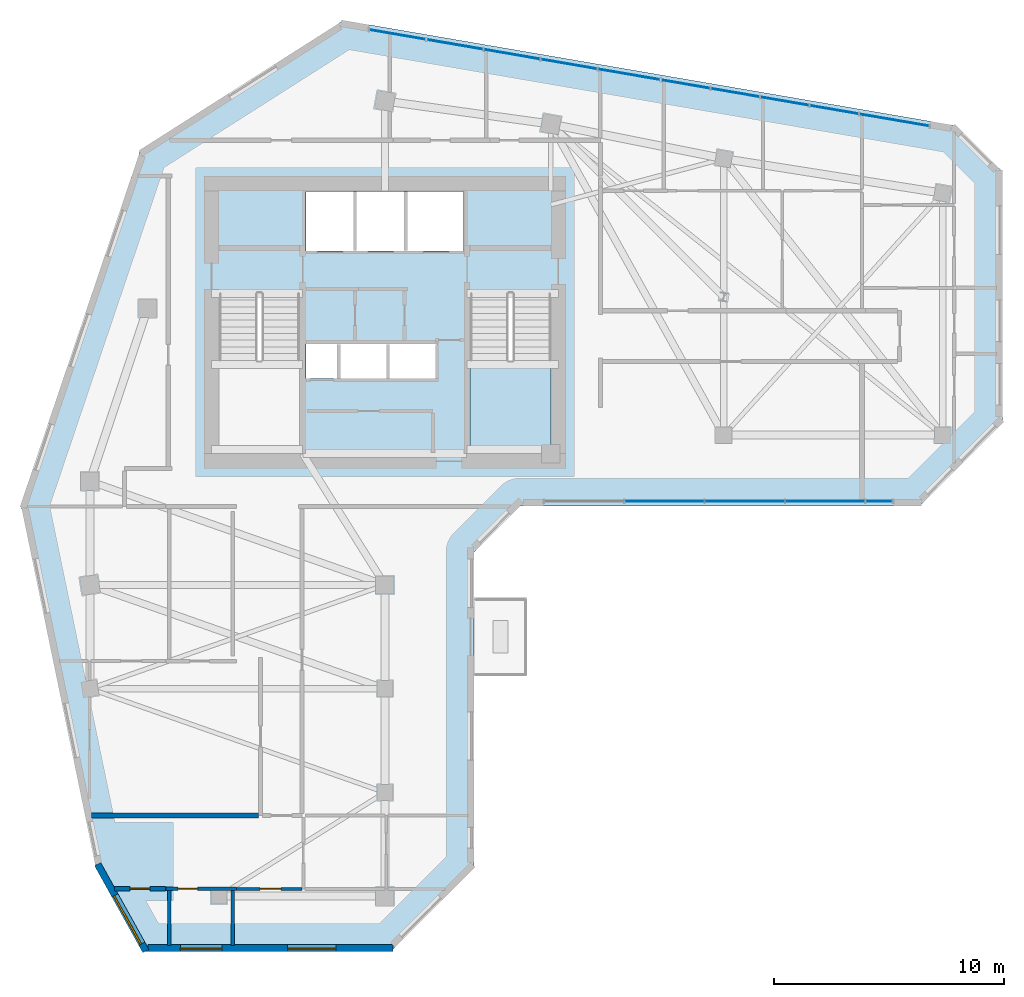
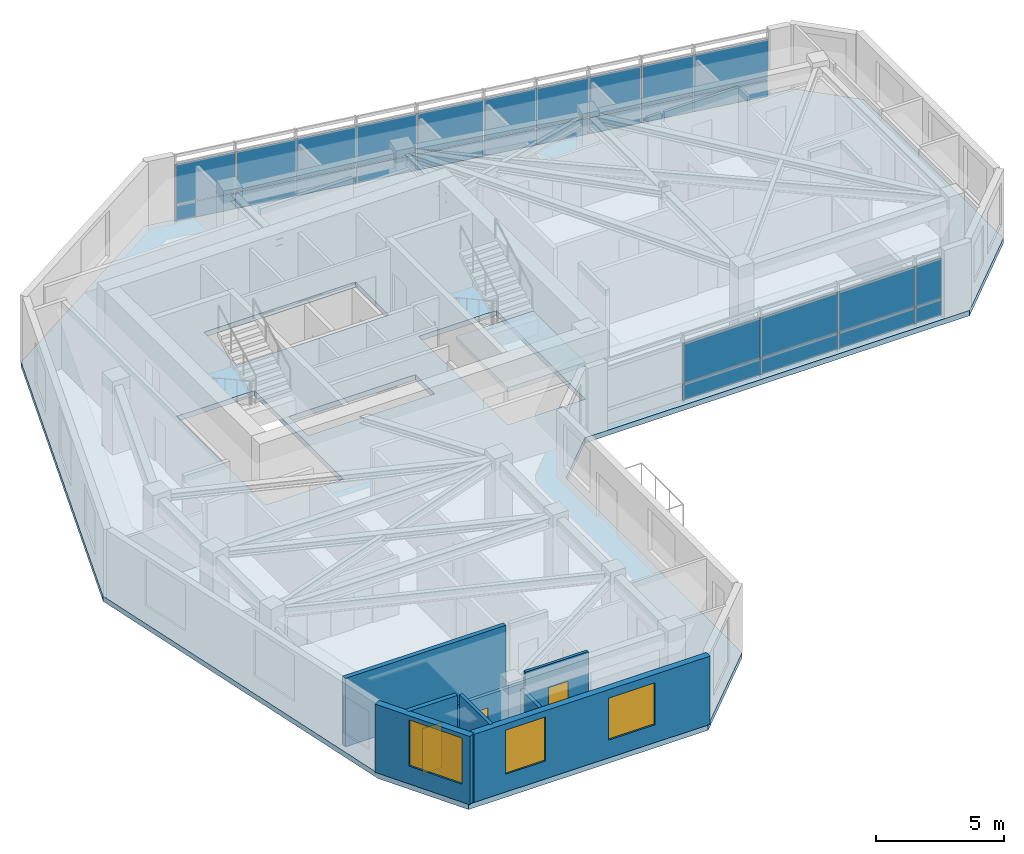
# One storey, part 3 of 10: 28 plates, 8 walls, 3 doors, 3 windows, 2 slabs, 6 openings, 3 elements without a shape of their own.
"""IFC4 building model written with IfcOpenShell, lengths in metres."""

from ifc_helpers import new_model, si_unit, direction, frame, frame_2d, origin, place, context, subcontext, project, spatial, polyline, rectangle, outline, extrude, source, transform, mapped, material, layer, layer_set, type_object, element, fill, aggregate, save


model = new_model("IFC4")

# Units and contexts
model_context = context("Model", 3, precision=1e-05, world=origin(), true_north=direction((0.0, 1.0)))
body_context = subcontext(model_context, "Body", "Model", "MODEL_VIEW")
ifc_project = project(units=[si_unit("LENGTHUNIT", "METRE"), si_unit("AREAUNIT", "SQUARE_METRE"), si_unit("VOLUMEUNIT", "CUBIC_METRE"), si_unit("PLANEANGLEUNIT", "RADIAN"), si_unit("MASSUNIT", "GRAM", prefix="KILO")], contexts=[model_context])

# Site, building, storey
site_placement = place(None, origin())
site = spatial("IfcSite", under=ifc_project, at=site_placement, CompositionType="ELEMENT")
building_placement = place(site_placement, origin())
building = spatial("IfcBuilding", under=site, at=building_placement, Name="Calvemar Wedge Station Tower", CompositionType="ELEMENT")
storey_placement = place(building_placement, frame((0.0, 0.0, 197.39990234375)))
storey = spatial("IfcBuildingStorey", under=building, at=storey_placement, Name="L49", CompositionType="ELEMENT", Elevation=197.39990234375)

# Curtain wall, plates
ifc_material_1 = material(Name="Anodised aluminium 6063-T6", Category="aluminium")
curtain_wall_type = type_object("IfcCurtainWallType", Name="CW3", PredefinedType="NOTDEFINED", material=ifc_material_1)
curtain_wall_1_placement = place(storey_placement, origin())
curtain_wall_1 = element("IfcCurtainWall", 1, at=curtain_wall_1_placement, inside=storey, type_object=curtain_wall_type, Name="Storey L49 CW3 Recessed Unitised Curtain Wall 6", PredefinedType="NOTDEFINED")
ifc_material_2 = material(Name="Low-E laminated insulated glass", Category="glass")
ifc_layer_1 = layer(ifc_material_2, 0.028076171875)
ifc_layer_set_1 = layer_set([ifc_layer_1], Name="Low-E laminated insulated glass")
plate_type_1 = type_object("IfcPlateType", Name="CW3-GLZ", PredefinedType="CURTAIN_PANEL", material=ifc_layer_set_1)
plate_1_placement = place(storey_placement, frame((34.204345703125, 32.134033203125, 0.8701171875), z_axis=(0.0, 0.0, 1.0), x_axis=(1.0, 0.0, 0.0)))
plate_1 = element("IfcPlate", 2, at=plate_1_placement, type_object=plate_type_1, Name="CW3 vision glass panel 2", PredefinedType="CURTAIN_PANEL", context=body_context, shape_type="SweptSolid", body=[
    extrude(rectangle(XDim=3.44873046875, YDim=0.028076171875, at=frame_2d((1.724365234375, 0.0))), origin(), (0.0, 0.0, 1.0), 1.909912109375),
])
plate_2_placement = place(storey_placement, frame((37.68896484375, 32.134033203125, 0.8701171875), z_axis=(0.0, 0.0, 1.0), x_axis=(1.0, 0.0, 0.0)))
plate_2 = element("IfcPlate", 3, at=plate_2_placement, type_object=plate_type_1, Name="CW3 vision glass panel 3", PredefinedType="CURTAIN_PANEL", context=body_context, shape_type="SweptSolid", body=[
    extrude(rectangle(XDim=3.448486328125, YDim=0.028076171875, at=frame_2d((1.72412109375, 0.0))), origin(), (0.0, 0.0, 1.0), 1.909912109375),
])
plate_3_placement = place(storey_placement, frame((41.173583984375, 32.134033203125, 0.8701171875), z_axis=(0.0, 0.0, 1.0), x_axis=(1.0, 0.0, 0.0)))
plate_3 = element("IfcPlate", 4, at=plate_3_placement, type_object=plate_type_1, Name="CW3 vision glass panel 4", PredefinedType="CURTAIN_PANEL", context=body_context, shape_type="SweptSolid", body=[
    extrude(rectangle(XDim=3.448486328125, YDim=0.028076171875, at=frame_2d((1.72412109375, 0.0))), origin(), (0.0, 0.0, 1.0), 1.909912109375),
])
plate_4_placement = place(storey_placement, frame((44.657958984375, 32.134033203125, 0.8701171875), z_axis=(0.0, 0.0, 1.0), x_axis=(1.0, 0.0, 0.0)))
plate_4 = element("IfcPlate", 5, at=plate_4_placement, type_object=plate_type_1, Name="CW3 vision glass panel 5", PredefinedType="CURTAIN_PANEL", context=body_context, shape_type="SweptSolid", body=[
    extrude(rectangle(XDim=1.161865234375, YDim=0.028076171875, at=frame_2d((0.5810546875, 0.0))), origin(), (0.0, 0.0, 1.0), 1.909912109375),
])

curtain_wall_2_placement = place(storey_placement, origin())
curtain_wall_2 = element("IfcCurtainWall", 6, at=curtain_wall_2_placement, inside=storey, type_object=curtain_wall_type, Name="Storey L49 CW3 Recessed Unitised Curtain Wall 10", PredefinedType="NOTDEFINED")
plate_5_placement = place(storey_placement, frame((47.415771484375, 48.414794921875, 0.8701171875), z_axis=(0.0, 0.0, 1.0), x_axis=(-0.985532089048, 0.16948894199, 0.0)))
plate_5 = element("IfcPlate", 7, at=plate_5_placement, type_object=plate_type_1, Name="CW3 vision glass panel 1", PredefinedType="CURTAIN_PANEL", context=body_context, shape_type="SweptSolid", body=[
    extrude(rectangle(XDim=3.071044921875, YDim=0.028076171875, at=frame_2d((1.53564453125, 0.0))), origin(), (0.0, 0.0, 1.0), 1.909912109375),
])
plate_6_placement = place(storey_placement, frame((44.353515625, 48.94140625, 0.8701171875), z_axis=(0.0, 0.0, 1.0), x_axis=(-0.985522462135, 0.169544910355, 0.0)))
plate_6 = element("IfcPlate", 8, at=plate_6_placement, type_object=plate_type_1, Name="CW3 vision glass panel 2", PredefinedType="CURTAIN_PANEL", context=body_context, shape_type="SweptSolid", body=[
    extrude(rectangle(XDim=2.1455078125, YDim=0.028076171875, at=frame_2d((1.07275390625, 0.0))), origin(), (0.0, 0.0, 1.0), 1.909912109375),
])
plate_7_placement = place(storey_placement, frame((42.20361328125, 49.311279296875, 0.8701171875), z_axis=(0.0, 0.0, 1.0), x_axis=(-0.985522462135, 0.169544910355, 0.0)))
plate_7 = element("IfcPlate", 9, at=plate_7_placement, type_object=plate_type_1, Name="CW3 vision glass panel 3", PredefinedType="CURTAIN_PANEL", context=body_context, shape_type="SweptSolid", body=[
    extrude(rectangle(XDim=2.1455078125, YDim=0.028076171875, at=frame_2d((1.07275390625, 0.0))), origin(), (0.0, 0.0, 1.0), 1.909912109375),
])
plate_8_placement = place(storey_placement, frame((40.0537109375, 49.68115234375, 0.8701171875), z_axis=(0.0, 0.0, 1.0), x_axis=(-0.985522462135, 0.169544910355, 0.0)))
plate_8 = element("IfcPlate", 10, at=plate_8_placement, type_object=plate_type_1, Name="CW3 vision glass panel 4", PredefinedType="CURTAIN_PANEL", context=body_context, shape_type="SweptSolid", body=[
    extrude(rectangle(XDim=2.1455078125, YDim=0.028076171875, at=frame_2d((1.07275390625, 0.0))), origin(), (0.0, 0.0, 1.0), 1.909912109375),
])
plate_9_placement = place(storey_placement, frame((37.903564453125, 50.051025390625, 0.8701171875), z_axis=(0.0, 0.0, 1.0), x_axis=(-0.985522462135, 0.169544910355, 0.0)))
plate_9 = element("IfcPlate", 11, at=plate_9_placement, type_object=plate_type_1, Name="CW3 vision glass panel 5", PredefinedType="CURTAIN_PANEL", context=body_context, shape_type="SweptSolid", body=[
    extrude(rectangle(XDim=2.1455078125, YDim=0.028076171875, at=frame_2d((1.07275390625, 0.0))), origin(), (0.0, 0.0, 1.0), 1.909912109375),
])
plate_10_placement = place(storey_placement, frame((35.753662109375, 50.4208984375, 0.8701171875), z_axis=(0.0, 0.0, 1.0), x_axis=(-0.985520439195, 0.169556668781, 0.0)))
plate_10 = element("IfcPlate", 12, at=plate_10_placement, type_object=plate_type_1, Name="CW3 vision glass panel 6", PredefinedType="CURTAIN_PANEL", context=body_context, shape_type="SweptSolid", body=[
    extrude(rectangle(XDim=2.75439453125, YDim=0.028076171875, at=frame_2d((1.377197265625, 0.0))), origin(), (0.0, 0.0, 1.0), 1.909912109375),
])
plate_11_placement = place(storey_placement, frame((33.003662109375, 50.89404296875, 0.8701171875), z_axis=(0.0, 0.0, 1.0), x_axis=(-0.985522121529, 0.169546890203, 0.0)))
plate_11 = element("IfcPlate", 13, at=plate_11_placement, type_object=plate_type_1, Name="CW3 vision glass panel 7", PredefinedType="CURTAIN_PANEL", context=body_context, shape_type="SweptSolid", body=[
    extrude(rectangle(XDim=2.475341796875, YDim=0.028076171875, at=frame_2d((1.23779296875, 0.0))), origin(), (0.0, 0.0, 1.0), 1.909912109375),
])
plate_12_placement = place(storey_placement, frame((30.528564453125, 51.319580078125, 0.8701171875), z_axis=(0.0, 0.0, 1.0), x_axis=(-0.985505636657, 0.169642683652, 0.0)))
plate_12 = element("IfcPlate", 14, at=plate_12_placement, type_object=plate_type_1, Name="CW3 vision glass panel 8", PredefinedType="CURTAIN_PANEL", context=body_context, shape_type="SweptSolid", body=[
    extrude(rectangle(XDim=2.475341796875, YDim=0.028076171875, at=frame_2d((1.23779296875, 0.0))), origin(), (0.0, 0.0, 1.0), 1.909912109375),
])
plate_13_placement = place(storey_placement, frame((28.0537109375, 51.74560546875, 0.8701171875), z_axis=(0.0, 0.0, 1.0), x_axis=(-0.98553324407, 0.169482225713, 0.0)))
plate_13 = element("IfcPlate", 15, at=plate_13_placement, type_object=plate_type_1, Name="CW3 vision glass panel 9", PredefinedType="CURTAIN_PANEL", context=body_context, shape_type="SweptSolid", body=[
    extrude(rectangle(XDim=2.4833984375, YDim=0.028076171875, at=frame_2d((1.24169921875, 0.0))), origin(), (0.0, 0.0, 1.0), 1.909912109375),
])
plate_14_placement = place(storey_placement, frame((25.57080078125, 52.172607421875, 0.8701171875), z_axis=(0.0, 0.0, 1.0), x_axis=(-0.985516819371, 0.169577707074, 0.0)))
plate_14 = element("IfcPlate", 16, at=plate_14_placement, type_object=plate_type_1, Name="CW3 vision glass panel 10", PredefinedType="CURTAIN_PANEL", context=body_context, shape_type="SweptSolid", body=[
    extrude(rectangle(XDim=2.4833984375, YDim=0.028076171875, at=frame_2d((1.24169921875, 0.0))), origin(), (0.0, 0.0, 1.0), 1.909912109375),
])

# Plate
ifc_material_3 = material(Name="Oxidized bronze aluminium spandrel panel 5005-H24", Category="aluminium")
ifc_layer_2 = layer(ifc_material_3, 0.0400390625)
ifc_layer_set_2 = layer_set([ifc_layer_2], Name="Oxidized bronze aluminium spandrel panel 5005-H24")
plate_type_2 = type_object("IfcPlateType", Name="CW3-SPD", PredefinedType="SHEET", material=ifc_layer_set_2)
plate_15_placement = place(storey_placement, frame((34.204345703125, 32.134033203125, 0.080078125), z_axis=(0.0, 0.0, 1.0), x_axis=(1.0, 0.0, 0.0)))
plate_15 = element("IfcPlate", 17, at=plate_15_placement, type_object=plate_type_2, Name="CW3 bronze spandrel panel 2", PredefinedType="SHEET", context=body_context, shape_type="SweptSolid", body=[
    extrude(rectangle(XDim=3.44873046875, YDim=0.0400390625, at=frame_2d((1.724365234375, 0.0))), origin(), (0.0, 0.0, 1.0), 0.75),
])

plate_16_placement = place(storey_placement, frame((37.68896484375, 32.134033203125, 0.080078125), z_axis=(0.0, 0.0, 1.0), x_axis=(1.0, 0.0, 0.0)))
plate_16 = element("IfcPlate", 18, at=plate_16_placement, type_object=plate_type_2, Name="CW3 bronze spandrel panel 3", PredefinedType="SHEET", context=body_context, shape_type="SweptSolid", body=[
    extrude(rectangle(XDim=3.448486328125, YDim=0.0400390625, at=frame_2d((1.72412109375, 0.0))), origin(), (0.0, 0.0, 1.0), 0.75),
])

plate_17_placement = place(storey_placement, frame((41.173583984375, 32.134033203125, 0.080078125), z_axis=(0.0, 0.0, 1.0), x_axis=(1.0, 0.0, 0.0)))
plate_17 = element("IfcPlate", 19, at=plate_17_placement, type_object=plate_type_2, Name="CW3 bronze spandrel panel 4", PredefinedType="SHEET", context=body_context, shape_type="SweptSolid", body=[
    extrude(rectangle(XDim=3.448486328125, YDim=0.0400390625, at=frame_2d((1.72412109375, 0.0))), origin(), (0.0, 0.0, 1.0), 0.75),
])

plate_18_placement = place(storey_placement, frame((44.657958984375, 32.134033203125, 0.080078125), z_axis=(0.0, 0.0, 1.0), x_axis=(1.0, 0.0, 0.0)))
plate_18 = element("IfcPlate", 20, at=plate_18_placement, type_object=plate_type_2, Name="CW3 bronze spandrel panel 5", PredefinedType="SHEET", context=body_context, shape_type="SweptSolid", body=[
    extrude(rectangle(XDim=1.161865234375, YDim=0.0400390625, at=frame_2d((0.5810546875, 0.0))), origin(), (0.0, 0.0, 1.0), 0.75),
])

aggregate(curtain_wall_1, [plate_15, plate_1, plate_16, plate_2, plate_17, plate_3, plate_18, plate_4])

plate_19_placement = place(storey_placement, frame((47.415771484375, 48.414794921875, 0.080078125), z_axis=(0.0, 0.0, 1.0), x_axis=(-0.985532089048, 0.16948894199, 0.0)))
plate_19 = element("IfcPlate", 21, at=plate_19_placement, type_object=plate_type_2, Name="CW3 bronze spandrel panel 1", PredefinedType="SHEET", context=body_context, shape_type="SweptSolid", body=[
    extrude(rectangle(XDim=3.071044921875, YDim=0.0400390625, at=frame_2d((1.53564453125, 0.0))), origin(), (0.0, 0.0, 1.0), 0.75),
])

plate_20_placement = place(storey_placement, frame((44.353515625, 48.94140625, 0.080078125), z_axis=(0.0, 0.0, 1.0), x_axis=(-0.985522462135, 0.169544910355, 0.0)))
plate_20 = element("IfcPlate", 22, at=plate_20_placement, type_object=plate_type_2, Name="CW3 bronze spandrel panel 2", PredefinedType="SHEET", context=body_context, shape_type="SweptSolid", body=[
    extrude(rectangle(XDim=2.1455078125, YDim=0.0400390625, at=frame_2d((1.07275390625, 0.0))), origin(), (0.0, 0.0, 1.0), 0.75),
])

plate_21_placement = place(storey_placement, frame((42.20361328125, 49.311279296875, 0.080078125), z_axis=(0.0, 0.0, 1.0), x_axis=(-0.985522462135, 0.169544910355, 0.0)))
plate_21 = element("IfcPlate", 23, at=plate_21_placement, type_object=plate_type_2, Name="CW3 bronze spandrel panel 3", PredefinedType="SHEET", context=body_context, shape_type="SweptSolid", body=[
    extrude(rectangle(XDim=2.1455078125, YDim=0.0400390625, at=frame_2d((1.07275390625, 0.0))), origin(), (0.0, 0.0, 1.0), 0.75),
])

plate_22_placement = place(storey_placement, frame((40.0537109375, 49.68115234375, 0.080078125), z_axis=(0.0, 0.0, 1.0), x_axis=(-0.985522462135, 0.169544910355, 0.0)))
plate_22 = element("IfcPlate", 24, at=plate_22_placement, type_object=plate_type_2, Name="CW3 bronze spandrel panel 4", PredefinedType="SHEET", context=body_context, shape_type="SweptSolid", body=[
    extrude(rectangle(XDim=2.1455078125, YDim=0.0400390625, at=frame_2d((1.07275390625, 0.0))), origin(), (0.0, 0.0, 1.0), 0.75),
])

plate_23_placement = place(storey_placement, frame((37.903564453125, 50.051025390625, 0.080078125), z_axis=(0.0, 0.0, 1.0), x_axis=(-0.985522462135, 0.169544910355, 0.0)))
plate_23 = element("IfcPlate", 25, at=plate_23_placement, type_object=plate_type_2, Name="CW3 bronze spandrel panel 5", PredefinedType="SHEET", context=body_context, shape_type="SweptSolid", body=[
    extrude(rectangle(XDim=2.1455078125, YDim=0.0400390625, at=frame_2d((1.07275390625, 0.0))), origin(), (0.0, 0.0, 1.0), 0.75),
])

plate_24_placement = place(storey_placement, frame((35.753662109375, 50.4208984375, 0.080078125), z_axis=(0.0, 0.0, 1.0), x_axis=(-0.985520439195, 0.169556668781, 0.0)))
plate_24 = element("IfcPlate", 26, at=plate_24_placement, type_object=plate_type_2, Name="CW3 bronze spandrel panel 6", PredefinedType="SHEET", context=body_context, shape_type="SweptSolid", body=[
    extrude(rectangle(XDim=2.75439453125, YDim=0.0400390625, at=frame_2d((1.377197265625, 0.0))), origin(), (0.0, 0.0, 1.0), 0.75),
])

plate_25_placement = place(storey_placement, frame((33.003662109375, 50.89404296875, 0.080078125), z_axis=(0.0, 0.0, 1.0), x_axis=(-0.985522121529, 0.169546890203, 0.0)))
plate_25 = element("IfcPlate", 27, at=plate_25_placement, type_object=plate_type_2, Name="CW3 bronze spandrel panel 7", PredefinedType="SHEET", context=body_context, shape_type="SweptSolid", body=[
    extrude(rectangle(XDim=2.475341796875, YDim=0.0400390625, at=frame_2d((1.23779296875, 0.0))), origin(), (0.0, 0.0, 1.0), 0.75),
])

plate_26_placement = place(storey_placement, frame((30.528564453125, 51.319580078125, 0.080078125), z_axis=(0.0, 0.0, 1.0), x_axis=(-0.985505636657, 0.169642683652, 0.0)))
plate_26 = element("IfcPlate", 28, at=plate_26_placement, type_object=plate_type_2, Name="CW3 bronze spandrel panel 8", PredefinedType="SHEET", context=body_context, shape_type="SweptSolid", body=[
    extrude(rectangle(XDim=2.475341796875, YDim=0.0400390625, at=frame_2d((1.23779296875, 0.0))), origin(), (0.0, 0.0, 1.0), 0.75),
])

plate_27_placement = place(storey_placement, frame((28.0537109375, 51.74560546875, 0.080078125), z_axis=(0.0, 0.0, 1.0), x_axis=(-0.98553324407, 0.169482225713, 0.0)))
plate_27 = element("IfcPlate", 29, at=plate_27_placement, type_object=plate_type_2, Name="CW3 bronze spandrel panel 9", PredefinedType="SHEET", context=body_context, shape_type="SweptSolid", body=[
    extrude(rectangle(XDim=2.4833984375, YDim=0.0400390625, at=frame_2d((1.24169921875, 0.0))), origin(), (0.0, 0.0, 1.0), 0.75),
])

plate_28_placement = place(storey_placement, frame((25.57080078125, 52.172607421875, 0.080078125), z_axis=(0.0, 0.0, 1.0), x_axis=(-0.985516819371, 0.169577707074, 0.0)))
plate_28 = element("IfcPlate", 30, at=plate_28_placement, type_object=plate_type_2, Name="CW3 bronze spandrel panel 10", PredefinedType="SHEET", context=body_context, shape_type="SweptSolid", body=[
    extrude(rectangle(XDim=2.4833984375, YDim=0.0400390625, at=frame_2d((1.24169921875, 0.0))), origin(), (0.0, 0.0, 1.0), 0.75),
])

aggregate(curtain_wall_2, [plate_19, plate_5, plate_20, plate_6, plate_21, plate_7, plate_22, plate_8, plate_23, plate_9, plate_24, plate_10, plate_25, plate_11, plate_26, plate_12, plate_27, plate_13, plate_28, plate_14])

# Stair, slab
ifc_material_4 = material(Name="Concrete C45", Category="concrete")
stair_type = type_object("IfcStairType", Name="ST-TYPE-3500", PredefinedType="HALF_TURN_STAIR", material=ifc_material_4)
stair_placement = place(storey_placement, origin())
stair = element("IfcStair", 31, at=stair_placement, inside=storey, type_object=stair_type, Name="L49 Pressurized Core Exit Stair ST-C2", PredefinedType="HALF_TURN_STAIR")
ifc_layer_3 = layer(ifc_material_4, 0.199951171875)
ifc_layer_set_3 = layer_set([ifc_layer_3], Name="Concrete C45")
slab_type_1 = type_object("IfcSlabType", Name="SL-STAIR-LND-200", PredefinedType="LANDING", material=ifc_layer_set_3)
slab_1_placement = place(storey_placement, frame((0.0, 0.0, 1.550048828125)))
slab_1 = element("IfcSlab", 32, at=slab_1_placement, type_object=slab_type_1, Name="ST-C2 landing 1", PredefinedType="LANDING", context=body_context, shape_type="SweptSolid", body=[
    extrude(outline(polyline([(27.5, 38.25), (27.5, 34.199951171875), (31.0, 34.199951171875), (31.0, 38.25), (27.5, 38.25)])), origin(), (0.0, 0.0, 1.0), 0.199951171875),
])
aggregate(stair, [slab_1])

# Slab
ifc_material_5 = material(Name="Concrete C50", Category="concrete")
ifc_layer_4 = layer(ifc_material_5, 0.25)
ifc_layer_set_4 = layer_set([ifc_layer_4], Name="Concrete C50")
slab_type_2 = type_object("IfcSlabType", Name="SL-TYP-250", PredefinedType="FLOOR", material=ifc_layer_set_4)
slab_2_placement = place(storey_placement, frame((0.0, 0.0, -0.25)))
element("IfcSlab", 33, at=slab_2_placement, inside=storey, type_object=slab_type_2, Name="Storey L49 Structural Floor Slab", PredefinedType="FLOOR", context=body_context, shape_type="SweptSolid", body=[
    extrude(outline(polyline([(8.0, 32.0), (11.263916015625, 16.199951171875), (13.263916015625, 12.60009765625), (24.06396484375, 12.60009765625), (27.6640625, 16.199951171875), (27.6640625, 29.924072265625), (29.6640625, 31.924072265625), (47.0, 31.924072265625), (50.60009765625, 35.52392578125), (50.60009765625, 46.424072265625), (48.60009765625, 48.424072265625), (22.0, 53.0), (13.199951171875, 47.39990234375), (8.0, 32.0)]), holes=[polyline([(20.10009765625, 34.199951171875), (20.10009765625, 41.14990234375), (16.60009765625, 41.14990234375), (16.60009765625, 34.199951171875), (20.10009765625, 34.199951171875)]), polyline([(27.5, 34.199951171875), (31.0, 34.199951171875), (31.0, 41.14990234375), (27.5, 41.14990234375), (27.5, 34.199951171875)]), polyline([(21.800048828125, 37.449951171875), (23.929931640625, 37.449951171875), (23.93994140625, 37.449951171875), (26.080078125, 37.449951171875), (26.080078125, 38.949951171875), (23.93994140625, 38.949951171875), (23.929931640625, 38.949951171875), (21.800048828125, 38.949951171875), (21.7900390625, 38.949951171875), (20.3798828125, 38.949951171875), (20.3798828125, 37.449951171875), (21.7900390625, 37.449951171875), (21.800048828125, 37.449951171875)]), polyline([(27.219970703125, 43.0), (27.219970703125, 45.580078125), (20.3798828125, 45.580078125), (20.3798828125, 43.0), (27.219970703125, 43.0)])]), origin(), (0.0, 0.0, 1.0), 0.25),
])

# Wall
ifc_material_6 = material(Name="Twin-stud fire-rated inter-tenancy wall")
ifc_layer_5 = layer(ifc_material_6, 0.199951171875)
ifc_layer_set_5 = layer_set([ifc_layer_5], Name="Twin-stud fire-rated inter-tenancy wall")
wall_type_1 = type_object("IfcWallType", Name="W-DEMISE-200", PredefinedType="PARTITIONING", material=ifc_layer_set_5)
wall_1_placement = place(storey_placement, frame((18.305908203125, 18.5, 0.0), z_axis=(0.0, 0.0, 1.0), x_axis=(-1.0, 0.0, 0.0)))
element("IfcWall", 34, at=wall_1_placement, inside=storey, type_object=wall_type_1, Name="Storey L49 Interior Partition WL-L49-058", PredefinedType="PARTITIONING", context=body_context, shape_type="SweptSolid", body=[
    extrude(rectangle(XDim=7.246337890625, YDim=0.199951171875, at=frame_2d((3.623046875, 0.0))), origin(), (0.0, 0.0, 1.0), 3.25),
])

# Wall, opening, door
wall_2_placement = place(storey_placement, frame((14.2880859375, 15.31494140625, 0.0), z_axis=(0.0, 0.0, 1.0), x_axis=(-1.0, 0.0, 0.0)))
wall_2 = element("IfcWall", 35, at=wall_2_placement, inside=storey, type_object=wall_type_1, Name="Storey L49 Interior Partition WL-L49-066", PredefinedType="PARTITIONING", context=body_context, shape_type="SweptSolid", body=[
    extrude(rectangle(XDim=2.229248046875, YDim=0.199951171875, at=frame_2d((1.11474609375, 0.0))), origin(), (0.0, 0.0, 1.0), 3.25),
])
shared_shape_1 = source(origin(), body_context, "Body", "SweptSolid", [
    extrude(rectangle(XDim=0.85009765625, YDim=2.14990234375, at=frame_2d((0.425048828125, 1.074951171875))), frame((0.0, 0.10986328125, 0.0), z_axis=(0.0, -1.0, 0.0), x_axis=(1.0, 0.0, 0.0)), (0.0, 0.0, 1.0), 0.219970703125),
])
opening_1_placement = place(wall_2_placement, frame((0.689697265625, 0.0, 0.0)))
opening_1 = element("IfcOpeningElement", 36, at=opening_1_placement, cuts=wall_2, Name="Opening D-02", PredefinedType="OPENING", context=body_context, shape_type="MappedRepresentation", body=[
    mapped(shared_shape_1, transform((0.0, 0.0, 0.0), scale=1.0)),
])
ifc_material_7 = material(Name="Moisture-sealed bathroom hardwood swing door", Category="wood")
door_type_1 = type_object("IfcDoorType", Name="DR-WET-850", OperationType="NOTDEFINED", PredefinedType="DOOR", material=ifc_material_7)
shared_shape_2 = source(origin(), body_context, "Body", "SweptSolid", [
    extrude(rectangle(XDim=0.85009765625, YDim=2.14990234375, at=frame_2d((0.425048828125, 1.074951171875))), frame((0.0, 0.02490234375, 0.0), z_axis=(0.0, -1.0, 0.0), x_axis=(1.0, 0.0, 0.0)), (0.0, 0.0, 1.0), 0.050048828125),
])
door_1_placement = place(opening_1_placement, origin())
door_1 = element("IfcDoor", 37, at=door_1_placement, inside=storey, type_object=door_type_1, Name="L49 Walk-In Wardrobe Door", OperationType="SINGLE_SWING_RIGHT", OverallHeight=2.14990234375, OverallWidth=0.85009765625, PredefinedType="DOOR", context=body_context, shape_type="MappedRepresentation", body=[
    mapped(shared_shape_2, transform((0.0, 0.0, 0.0), scale=1.0)),
])
fill(opening_1, door_1)

# Wall, opening, window
ifc_material_8 = material(Name="Precast concrete C45", Category="concrete")
ifc_layer_6 = layer(ifc_material_8, 0.300048828125)
ifc_layer_set_6 = layer_set([ifc_layer_6], Name="Precast concrete C45")
wall_type_2 = type_object("IfcWallType", Name="W-EXT-GFRC-300", PredefinedType="SOLIDWALL", material=ifc_layer_set_6)
wall_3_placement = place(storey_placement, frame((11.33349609375, 16.3837890625, 0.0), z_axis=(0.0, 0.0, 1.0), x_axis=(0.485633305139, -0.874162623852, 0.0)))
wall_3 = element("IfcWall", 38, at=wall_3_placement, inside=storey, type_object=wall_type_2, Name="Storey L49 Bronze GFRC Exterior Wall 1", PredefinedType="SOLIDWALL", context=body_context, shape_type="SweptSolid", body=[
    extrude(rectangle(XDim=4.306884765625, YDim=0.300048828125, at=frame_2d((2.1533203125, 0.0))), origin(), (0.0, 0.0, 1.0), 3.25),
])
shared_shape_3 = source(origin(), body_context, "Body", "SweptSolid", [
    extrude(rectangle(XDim=2.39990234375, YDim=2.199951171875, at=frame_2d((1.199951171875, 1.10009765625))), frame((0.0, 0.16015625, 0.0), z_axis=(0.0, -1.0, 0.0), x_axis=(1.0, 0.0, 0.0)), (0.0, 0.0, 1.0), 0.320068359375),
])
opening_2_placement = place(wall_3_placement, frame((1.547119140625, 0.0, 0.85009765625)))
opening_2 = element("IfcOpeningElement", 39, at=opening_2_placement, cuts=wall_3, Name="Opening W1", PredefinedType="OPENING", context=body_context, shape_type="MappedRepresentation", body=[
    mapped(shared_shape_3, transform((0.0, 0.0, 0.0), scale=1.0)),
])
window_type_1 = type_object("IfcWindowType", Name="WIN-EXT-1", PartitioningType="SINGLE_PANEL", PredefinedType="WINDOW", material=ifc_material_2)
shared_shape_4 = source(origin(), body_context, "Body", "SweptSolid", [
    extrude(rectangle(XDim=2.39990234375, YDim=2.199951171875, at=frame_2d((1.199951171875, 1.10009765625))), frame((0.0, -0.014892578125, 0.0), z_axis=(0.0, -1.0, 0.0), x_axis=(1.0, 0.0, 0.0)), (0.0, 0.0, 1.0), 0.06005859375),
])
window_1_placement = place(opening_2_placement, origin())
window_1 = element("IfcWindow", 40, at=window_1_placement, inside=storey, type_object=window_type_1, Name="Storey L49 Recessed Window 1.1", OverallHeight=2.199951171875, OverallWidth=2.39990234375, PartitioningType="SINGLE_PANEL", PredefinedType="WINDOW", context=body_context, shape_type="MappedRepresentation", body=[
    mapped(shared_shape_4, transform((0.0, 0.0, 0.0), scale=1.0)),
])
fill(opening_2, window_1)

# Wall, openings, windows
wall_4_placement = place(storey_placement, frame((13.510009765625, 12.75, 0.0), z_axis=(0.0, 0.0, 1.0), x_axis=(1.0, 0.0, 0.0)))
wall_4 = element("IfcWall", 41, at=wall_4_placement, inside=storey, type_object=wall_type_2, Name="Storey L49 Bronze GFRC Exterior Wall 2", PredefinedType="SOLIDWALL", context=body_context, shape_type="SweptSolid", body=[
    extrude(rectangle(XDim=10.641845703125, YDim=0.300048828125, at=frame_2d((5.32080078125, 0.0))), origin(), (0.0, 0.0, 1.0), 3.25),
])
shared_shape_5 = source(origin(), body_context, "Body", "SweptSolid", [
    extrude(rectangle(XDim=1.800048828125, YDim=2.10009765625, at=frame_2d((0.89990234375, 1.050048828125))), frame((0.0, 0.16015625, 0.0), z_axis=(0.0, -1.0, 0.0), x_axis=(1.0, 0.0, 0.0)), (0.0, 0.0, 1.0), 0.320068359375),
])
opening_3_placement = place(wall_4_placement, frame((1.4150390625, 0.0, 0.85009765625)))
opening_3 = element("IfcOpeningElement", 42, at=opening_3_placement, cuts=wall_4, Name="Opening W2", PredefinedType="OPENING", context=body_context, shape_type="MappedRepresentation", body=[
    mapped(shared_shape_5, transform((0.0, 0.0, 0.0), scale=1.0)),
])
shared_shape_6 = source(origin(), body_context, "Body", "SweptSolid", [
    extrude(rectangle(XDim=2.10009765625, YDim=2.0, at=frame_2d((1.050048828125, 1.0))), frame((0.0, 0.16015625, 0.0), z_axis=(0.0, -1.0, 0.0), x_axis=(1.0, 0.0, 0.0)), (0.0, 0.0, 1.0), 0.320068359375),
])
opening_4_placement = place(wall_4_placement, frame((6.06591796875, 0.0, 0.85009765625)))
opening_4 = element("IfcOpeningElement", 43, at=opening_4_placement, cuts=wall_4, Name="Opening W4", PredefinedType="OPENING", context=body_context, shape_type="MappedRepresentation", body=[
    mapped(shared_shape_6, transform((0.0, 0.0, 0.0), scale=1.0)),
])
window_type_2 = type_object("IfcWindowType", Name="WIN-EXT-4", PartitioningType="SINGLE_PANEL", PredefinedType="WINDOW", material=ifc_material_2)
shared_shape_7 = source(origin(), body_context, "Body", "SweptSolid", [
    extrude(rectangle(XDim=2.10009765625, YDim=2.0, at=frame_2d((1.050048828125, 1.0))), frame((0.0, -0.014892578125, 0.0), z_axis=(0.0, -1.0, 0.0), x_axis=(1.0, 0.0, 0.0)), (0.0, 0.0, 1.0), 0.06005859375),
])
window_2_placement = place(opening_4_placement, origin())
window_2 = element("IfcWindow", 44, at=window_2_placement, inside=storey, type_object=window_type_2, Name="Storey L49 Recessed Window 2.2", OverallHeight=2.0, OverallWidth=2.10009765625, PartitioningType="SINGLE_PANEL", PredefinedType="WINDOW", context=body_context, shape_type="MappedRepresentation", body=[
    mapped(shared_shape_7, transform((0.0, 0.0, 0.0), scale=1.0)),
])
fill(opening_4, window_2)
window_type_3 = type_object("IfcWindowType", Name="WIN-EXT-2", PartitioningType="SINGLE_PANEL", PredefinedType="WINDOW", material=ifc_material_2)
shared_shape_8 = source(origin(), body_context, "Body", "SweptSolid", [
    extrude(rectangle(XDim=1.800048828125, YDim=2.10009765625, at=frame_2d((0.89990234375, 1.050048828125))), frame((0.0, -0.014892578125, 0.0), z_axis=(0.0, -1.0, 0.0), x_axis=(1.0, 0.0, 0.0)), (0.0, 0.0, 1.0), 0.06005859375),
])
window_3_placement = place(opening_3_placement, origin())
window_3 = element("IfcWindow", 45, at=window_3_placement, inside=storey, type_object=window_type_3, Name="Storey L49 Recessed Window 2.1", OverallHeight=2.10009765625, OverallWidth=1.800048828125, PartitioningType="SINGLE_PANEL", PredefinedType="WINDOW", context=body_context, shape_type="MappedRepresentation", body=[
    mapped(shared_shape_8, transform((0.0, 0.0, 0.0), scale=1.0)),
])
fill(opening_3, window_3)

# Wall, opening, door
ifc_material_9 = material(Name="Insulated acoustic gypsum stud partition")
ifc_layer_7 = layer(ifc_material_9, 0.125)
ifc_layer_set_7 = layer_set([ifc_layer_7], Name="Insulated acoustic gypsum stud partition")
wall_type_3 = type_object("IfcWallType", Name="W-PART-125", PredefinedType="PARTITIONING", material=ifc_layer_set_7)
wall_5_placement = place(storey_placement, frame((20.1923828125, 15.31494140625, 0.0), z_axis=(0.0, 0.0, 1.0), x_axis=(-1.0, 0.0, 0.0)))
wall_5 = element("IfcWall", 46, at=wall_5_placement, inside=storey, type_object=wall_type_3, Name="Storey L49 Interior Partition WL-L49-067", PredefinedType="PARTITIONING", context=body_context, shape_type="SweptSolid", body=[
    extrude(rectangle(XDim=2.830322265625, YDim=0.125, at=frame_2d((1.4150390625, 0.0))), origin(), (0.0, 0.0, 1.0), 3.25),
])
shared_shape_9 = source(origin(), body_context, "Body", "SweptSolid", [
    extrude(rectangle(XDim=0.89990234375, YDim=2.14990234375, at=frame_2d((0.449951171875, 1.074951171875))), frame((0.0, 0.072509765625, 0.0), z_axis=(0.0, -1.0, 0.0), x_axis=(1.0, 0.0, 0.0)), (0.0, 0.0, 1.0), 0.14501953125),
])
opening_5_placement = place(wall_5_placement, frame((0.903076171875, 0.0, 0.0)))
opening_5 = element("IfcOpeningElement", 47, at=opening_5_placement, cuts=wall_5, Name="Opening D-01", PredefinedType="OPENING", context=body_context, shape_type="MappedRepresentation", body=[
    mapped(shared_shape_9, transform((0.0, 0.0, 0.0), scale=1.0)),
])
ifc_material_10 = material(Name="Architectural hardwood acoustic swing door", Category="wood")
door_type_2 = type_object("IfcDoorType", Name="DR-INT-900", OperationType="NOTDEFINED", PredefinedType="DOOR", material=ifc_material_10)
shared_shape_10 = source(origin(), body_context, "Body", "SweptSolid", [
    extrude(rectangle(XDim=0.89990234375, YDim=2.14990234375, at=frame_2d((0.449951171875, 1.074951171875))), frame((0.0, 0.02490234375, 0.0), z_axis=(0.0, -1.0, 0.0), x_axis=(1.0, 0.0, 0.0)), (0.0, 0.0, 1.0), 0.050048828125),
])
door_2_placement = place(opening_5_placement, origin())
door_2 = element("IfcDoor", 48, at=door_2_placement, inside=storey, type_object=door_type_2, Name="L49 Master Bedroom Door", OperationType="SINGLE_SWING_LEFT", OverallHeight=2.14990234375, OverallWidth=0.89990234375, PredefinedType="DOOR", context=body_context, shape_type="MappedRepresentation", body=[
    mapped(shared_shape_10, transform((0.0, 0.0, 0.0), scale=1.0)),
])
fill(opening_5, door_2)

ifc_material_11 = material(Name="Moisture-resistant acoustic bathroom partition")
ifc_layer_8 = layer(ifc_material_11, 0.14990234375)
ifc_layer_set_8 = layer_set([ifc_layer_8], Name="Moisture-resistant acoustic bathroom partition")
wall_type_4 = type_object("IfcWallType", Name="W-WET-150", PredefinedType="PARTITIONING", material=ifc_layer_set_8)
wall_6_placement = place(storey_placement, frame((17.360107421875, 15.31494140625, 0.0), z_axis=(0.0, 0.0, 1.0), x_axis=(-1.0, 0.0, 0.0)))
wall_6 = element("IfcWall", 49, at=wall_6_placement, inside=storey, type_object=wall_type_4, Name="Storey L49 Interior Partition WL-L49-065", PredefinedType="PARTITIONING", context=body_context, shape_type="SweptSolid", body=[
    extrude(rectangle(XDim=3.070068359375, YDim=0.14990234375, at=frame_2d((1.53515625, 0.0))), origin(), (0.0, 0.0, 1.0), 2.779052734375),
])
shared_shape_11 = source(origin(), body_context, "Body", "SweptSolid", [
    extrude(rectangle(XDim=0.85009765625, YDim=2.14990234375, at=frame_2d((0.425048828125, 1.074951171875))), frame((0.0, 0.0849609375, 0.0), z_axis=(0.0, -1.0, 0.0), x_axis=(1.0, 0.0, 0.0)), (0.0, 0.0, 1.0), 0.169921875),
])
opening_6_placement = place(wall_6_placement, frame((1.6845703125, 0.0, 0.0)))
opening_6 = element("IfcOpeningElement", 50, at=opening_6_placement, cuts=wall_6, Name="Opening D-02", PredefinedType="OPENING", context=body_context, shape_type="MappedRepresentation", body=[
    mapped(shared_shape_11, transform((0.0, 0.0, 0.0), scale=1.0)),
])
door_3_placement = place(opening_6_placement, origin())
door_3 = element("IfcDoor", 51, at=door_3_placement, inside=storey, type_object=door_type_1, Name="L49 Bathroom Door", OperationType="SINGLE_SWING_LEFT", OverallHeight=2.14990234375, OverallWidth=0.85009765625, PredefinedType="DOOR", context=body_context, shape_type="MappedRepresentation", body=[
    mapped(shared_shape_2, transform((0.0, 0.0, 0.0), scale=1.0)),
])
fill(opening_6, door_3)

# Walls
wall_7_placement = place(storey_placement, frame((14.449951171875, 12.864990234375, 0.0), z_axis=(0.0, 0.0, 1.0), x_axis=(0.0, 1.0, 0.0)))
element("IfcWall", 52, at=wall_7_placement, inside=storey, type_object=wall_type_4, Name="Storey L49 Interior Partition WL-L49-070", PredefinedType="PARTITIONING", context=body_context, shape_type="SweptSolid", body=[
    extrude(rectangle(XDim=2.37109375, YDim=0.14990234375, at=frame_2d((1.185546875, 0.0))), origin(), (0.0, 0.0, 1.0), 3.25),
])
wall_8_placement = place(storey_placement, frame((17.199951171875, 15.236083984375, 0.0), z_axis=(0.0, 0.0, 1.0), x_axis=(0.0, -1.0, 0.0)))
element("IfcWall", 53, at=wall_8_placement, inside=storey, type_object=wall_type_4, Name="Storey L49 Interior Partition WL-L49-071", PredefinedType="PARTITIONING", context=body_context, shape_type="SweptSolid", body=[
    extrude(rectangle(XDim=2.37109375, YDim=0.14990234375, at=frame_2d((1.185546875, 0.0))), origin(), (0.0, 0.0, 1.0), 2.5419921875),
])

save(model, "model.ifc")
